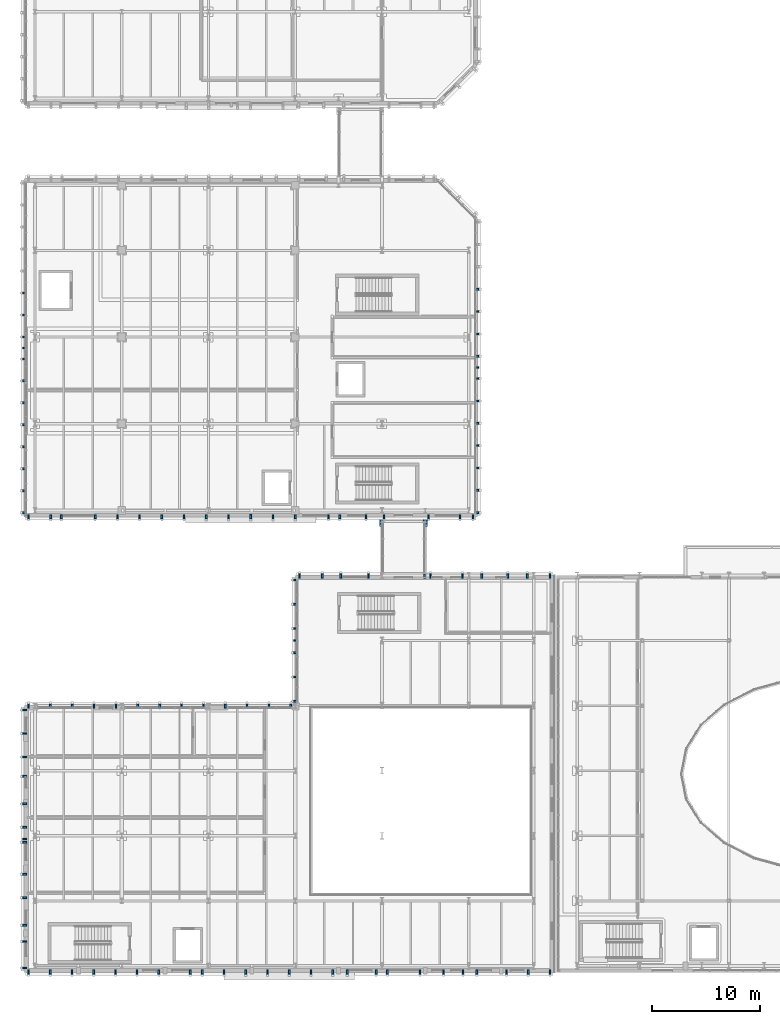
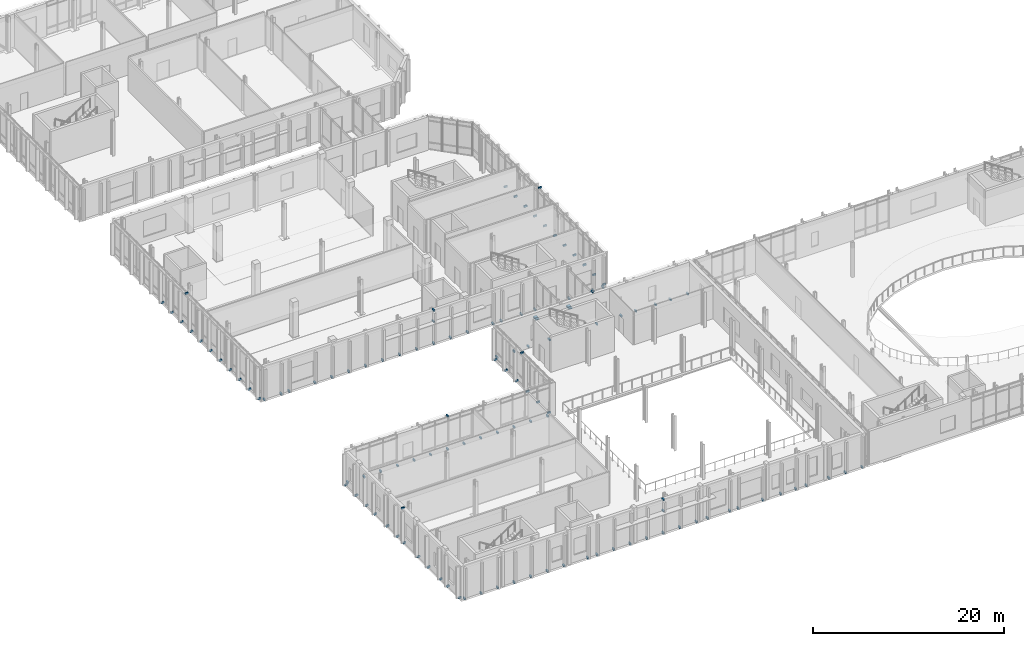
# One storey, part 75 of 100: 122 discrete accessories.
"""IFC4 building model written with IfcOpenShell, lengths in metres."""

from ifc_helpers import new_model, si_unit, direction, frame, origin, origin_2d, place, context, subcontext, project, spatial, rectangle, extrude, material, type_object, element, save


model = new_model("IFC4")

# Units and contexts
model_context = context("Model", 3, precision=1e-05, world=origin(), true_north=direction((0.0, 1.0)))
body_context = subcontext(model_context, "Body", "Model", "MODEL_VIEW")
ifc_project = project(units=[si_unit("LENGTHUNIT", "METRE"), si_unit("AREAUNIT", "SQUARE_METRE"), si_unit("VOLUMEUNIT", "CUBIC_METRE"), si_unit("PLANEANGLEUNIT", "RADIAN"), si_unit("MASSUNIT", "GRAM", prefix="KILO")], contexts=[model_context])

# Site, building, storey
site_placement = place(None, origin())
site = spatial("IfcSite", under=ifc_project, at=site_placement, CompositionType="ELEMENT")
building_placement = place(site_placement, origin())
building = spatial("IfcBuilding", under=site, at=building_placement, Name="Cymarion Research Institute", CompositionType="ELEMENT")
storey_placement = place(building_placement, frame((0.0, 0.0, 4.800048828125)))
storey = spatial("IfcBuildingStorey", under=building, at=storey_placement, Name="L01", CompositionType="ELEMENT", Elevation=4.800048828125)

# Discrete accessories
ifc_material = material(Name="Steel S355", Category="steel")
discrete_accessory_type_1 = type_object("IfcDiscreteAccessoryType", Name="PTFE ELASTOMERIC SLIDING BEARING SB01", PredefinedType="SHOE", material=ifc_material)
for number, where, z_axis, x_axis, name in (
    (1, (38.60009765625, 46.43994140625, -0.590087890625), (0.0, 0.0, 1.0), (1.0, 0.0, 0.0), "L01 SP1 unguided PTFE sliding bearing 1"),
    (2, (42.60009765625, 46.43994140625, -0.590087890625), (0.0, 0.0, 1.0), (1.0, 0.0, 0.0), "L01 SP1 unguided PTFE sliding bearing 2"),
):
    element("IfcDiscreteAccessory", number, at=place(storey_placement, frame(where, z_axis=z_axis, x_axis=x_axis)), inside=storey, type_object=discrete_accessory_type_1, Name=name, PredefinedType="SHOE", context=body_context, shape_type="SweptSolid", body=[
        extrude(rectangle(XDim=0.35009765625, YDim=0.35009765625, at=origin_2d()), origin(), (0.0, 0.0, 1.0), 0.080078125),
    ])
discrete_accessory_type_2 = type_object("IfcDiscreteAccessoryType", Name="STAINLESS STEEL FACADE FIN BRACKET FBK1", PredefinedType="BRACKET", material=ifc_material)
discrete_accessory_1_placement = place(storey_placement, frame((30.050048828125, 4.93994140625, 4.169921875), z_axis=(0.0, 0.0, 1.0), x_axis=(0.0, -1.0, 0.0)))
element("IfcDiscreteAccessory", 3, at=discrete_accessory_1_placement, inside=storey, type_object=discrete_accessory_type_2, Name="L01 V3 spandrel brow anchor bracket #218", PredefinedType="BRACKET", context=body_context, shape_type="SweptSolid", body=[
    extrude(rectangle(XDim=0.3798828125, YDim=0.159912109375, at=origin_2d()), origin(), (0.0, 0.0, 1.0), 0.199951171875),
])
for number, where, z_axis, x_axis, name in (
    (4, (6.0, 4.93994140625, -0.08984375), (0.0, 0.0, 1.0), (0.0, -1.0, 0.0), "L01 V3 vertical rib anchor bracket #219"),
    (5, (8.004150390625, 4.93994140625, -0.08984375), (0.0, 0.0, 1.0), (0.0, -1.0, 0.0), "L01 V3 vertical rib anchor bracket #220"),
    (6, (10.00830078125, 4.93994140625, -0.08984375), (0.0, 0.0, 1.0), (0.0, -1.0, 0.0), "L01 V3 vertical rib anchor bracket #221"),
    (7, (12.012451171875, 4.93994140625, -0.08984375), (0.0, 0.0, 1.0), (0.0, -1.0, 0.0), "L01 V3 vertical rib anchor bracket #222"),
    (8, (14.0166015625, 4.93994140625, -0.08984375), (0.0, 0.0, 1.0), (0.0, -1.0, 0.0), "L01 V3 vertical rib anchor bracket #223"),
    (9, (16.020751953125, 4.93994140625, -0.08984375), (0.0, 0.0, 1.0), (0.0, -1.0, 0.0), "L01 V3 vertical rib anchor bracket #224"),
    (10, (18.02490234375, 4.93994140625, -0.08984375), (0.0, 0.0, 1.0), (0.0, -1.0, 0.0), "L01 V3 vertical rib anchor bracket #225"),
    (11, (20.919921875, 4.93994140625, -0.08984375), (0.0, 0.0, 1.0), (0.0, -1.0, 0.0), "L01 V3 vertical rib anchor bracket #226"),
    (12, (22.033203125, 4.93994140625, -0.08984375), (0.0, 0.0, 1.0), (0.0, -1.0, 0.0), "L01 V3 vertical rib anchor bracket #227"),
    (13, (24.03759765625, 4.93994140625, -0.08984375), (0.0, 0.0, 1.0), (0.0, -1.0, 0.0), "L01 V3 vertical rib anchor bracket #228"),
    (14, (26.041748046875, 4.93994140625, -0.08984375), (0.0, 0.0, 1.0), (0.0, -1.0, 0.0), "L01 V3 vertical rib anchor bracket #229"),
    (15, (28.0458984375, 4.93994140625, -0.08984375), (0.0, 0.0, 1.0), (0.0, -1.0, 0.0), "L01 V3 vertical rib anchor bracket #230"),
    (16, (30.050048828125, 4.93994140625, -0.08984375), (0.0, 0.0, 1.0), (0.0, -1.0, 0.0), "L01 V3 vertical rib anchor bracket #231"),
    (17, (32.05419921875, 4.93994140625, -0.08984375), (0.0, 0.0, 1.0), (0.0, -1.0, 0.0), "L01 V3 vertical rib anchor bracket #232"),
    (18, (34.058349609375, 4.93994140625, -0.08984375), (0.0, 0.0, 1.0), (0.0, -1.0, 0.0), "L01 V3 vertical rib anchor bracket #233"),
    (19, (35.39990234375, 4.93994140625, -0.08984375), (0.0, 0.0, 1.0), (0.0, -1.0, 0.0), "L01 V3 vertical rib anchor bracket #234"),
    (20, (38.066650390625, 4.93994140625, -0.08984375), (0.0, 0.0, 1.0), (0.0, -1.0, 0.0), "L01 V3 vertical rib anchor bracket #235"),
    (21, (39.10009765625, 4.93994140625, -0.08984375), (0.0, 0.0, 1.0), (0.0, -1.0, 0.0), "L01 V3 vertical rib anchor bracket #236"),
    (22, (42.10009765625, 4.93994140625, -0.08984375), (0.0, 0.0, 1.0), (0.0, -1.0, 0.0), "L01 V3 vertical rib anchor bracket #237"),
    (23, (44.27001953125, 4.93994140625, -0.08984375), (0.0, 0.0, 1.0), (0.0, -1.0, 0.0), "L01 V3 vertical rib anchor bracket #238"),
    (24, (46.083251953125, 4.93994140625, -0.08984375), (0.0, 0.0, 1.0), (0.0, -1.0, 0.0), "L01 V3 vertical rib anchor bracket #239"),
    (25, (47.35009765625, 4.93994140625, -0.08984375), (0.0, 0.0, 1.0), (0.0, -1.0, 0.0), "L01 V3 vertical rib anchor bracket #240"),
    (26, (50.091796875, 4.93994140625, -0.08984375), (0.0, 0.0, 1.0), (0.0, -1.0, 0.0), "L01 V3 vertical rib anchor bracket #241"),
    (27, (52.095703125, 4.93994140625, -0.08984375), (0.0, 0.0, 1.0), (0.0, -1.0, 0.0), "L01 V3 vertical rib anchor bracket #242"),
    (28, (54.10009765625, 4.93994140625, -0.08984375), (0.0, 0.0, 1.0), (0.0, -1.0, 0.0), "L01 V3 vertical rib anchor bracket #243"),
):
    element("IfcDiscreteAccessory", number, at=place(storey_placement, frame(where, z_axis=z_axis, x_axis=x_axis)), inside=storey, type_object=discrete_accessory_type_2, Name=name, PredefinedType="BRACKET", context=body_context, shape_type="SweptSolid", body=[
        extrude(rectangle(XDim=0.3798828125, YDim=0.159912109375, at=origin_2d()), origin(), (0.0, 0.0, 1.0), 0.219970703125),
    ])
discrete_accessory_2_placement = place(storey_placement, frame((30.050048828125, 4.949951171875, 2.72998046875), z_axis=(0.0, 0.0, 1.0), x_axis=(0.0, -1.0, 0.0)))
element("IfcDiscreteAccessory", 29, at=discrete_accessory_2_placement, inside=storey, type_object=discrete_accessory_type_2, Name="L01 V3 sunshade anchor bracket #1", PredefinedType="BRACKET", context=body_context, shape_type="SweptSolid", body=[
    extrude(rectangle(XDim=0.3798828125, YDim=0.159912109375, at=origin_2d()), origin(), (0.0, 0.0, 1.0), 0.179931640625),
])
discrete_accessory_3_placement = place(storey_placement, frame((42.550048828125, 41.4599609375, 4.169921875), z_axis=(0.0, 0.0, 1.0), x_axis=(0.0, 1.0, 0.0)))
element("IfcDiscreteAccessory", 30, at=discrete_accessory_3_placement, inside=storey, type_object=discrete_accessory_type_2, Name="L01 V3 spandrel brow anchor bracket #244", PredefinedType="BRACKET", context=body_context, shape_type="SweptSolid", body=[
    extrude(rectangle(XDim=0.3798828125, YDim=0.159912109375, at=origin_2d()), origin(), (0.0, 0.0, 1.0), 0.199951171875),
])
for number, where, z_axis, x_axis, name in (
    (31, (54.10009765625, 41.4599609375, -0.08984375), (0.0, 0.0, 1.0), (0.0, 1.0, 0.0), "L01 V3 vertical rib anchor bracket #245"),
    (32, (52.0, 41.4599609375, -0.08984375), (0.0, 0.0, 1.0), (0.0, 1.0, 0.0), "L01 V3 vertical rib anchor bracket #246"),
    (33, (50.199951171875, 41.4599609375, -0.08984375), (0.0, 0.0, 1.0), (0.0, 1.0, 0.0), "L01 V3 vertical rib anchor bracket #247"),
    (34, (47.800048828125, 41.4599609375, -0.08984375), (0.0, 0.0, 1.0), (0.0, 1.0, 0.0), "L01 V3 vertical rib anchor bracket #248"),
    (35, (46.030029296875, 41.4599609375, -0.08984375), (0.0, 0.0, 1.0), (0.0, 1.0, 0.0), "L01 V3 vertical rib anchor bracket #249"),
    (36, (43.070068359375, 41.4599609375, -0.08984375), (0.0, 0.0, 1.0), (0.0, 1.0, 0.0), "L01 V3 vertical rib anchor bracket #250"),
    (37, (37.35498046875, 41.4599609375, -0.08984375), (0.0, 0.0, 1.0), (0.0, 1.0, 0.0), "L01 V3 vertical rib anchor bracket #251"),
    (38, (34.804931640625, 41.4599609375, -0.08984375), (0.0, 0.0, 1.0), (0.0, 1.0, 0.0), "L01 V3 vertical rib anchor bracket #252"),
    (39, (33.10009765625, 41.4599609375, -0.08984375), (0.0, 0.0, 1.0), (0.0, 1.0, 0.0), "L01 V3 vertical rib anchor bracket #253"),
    (40, (31.0, 41.4599609375, -0.08984375), (0.0, 0.0, 1.0), (0.0, 1.0, 0.0), "L01 V3 vertical rib anchor bracket #254"),
):
    element("IfcDiscreteAccessory", number, at=place(storey_placement, frame(where, z_axis=z_axis, x_axis=x_axis)), inside=storey, type_object=discrete_accessory_type_2, Name=name, PredefinedType="BRACKET", context=body_context, shape_type="SweptSolid", body=[
        extrude(rectangle(XDim=0.3798828125, YDim=0.159912109375, at=origin_2d()), origin(), (0.0, 0.0, 1.0), 0.219970703125),
    ])
discrete_accessory_4_placement = place(storey_placement, frame((30.639892578125, 35.5, 4.169921875), z_axis=(0.0, 0.0, 1.0), x_axis=(-1.0, 0.0, 0.0)))
element("IfcDiscreteAccessory", 41, at=discrete_accessory_4_placement, inside=storey, type_object=discrete_accessory_type_2, Name="L01 V3 spandrel brow anchor bracket #255", PredefinedType="BRACKET", context=body_context, shape_type="SweptSolid", body=[
    extrude(rectangle(XDim=0.3798828125, YDim=0.159912109375, at=origin_2d()), origin(), (0.0, 0.0, 1.0), 0.199951171875),
])
for number, where, z_axis, x_axis, name in (
    (42, (30.639892578125, 41.10009765625, -0.08984375), (0.0, 0.0, 1.0), (-1.0, 0.0, 0.0), "L01 V3 vertical rib anchor bracket #256"),
    (43, (30.639892578125, 38.860107421875, -0.08984375), (0.0, 0.0, 1.0), (-1.0, 0.0, 0.0), "L01 V3 vertical rib anchor bracket #257"),
    (44, (30.639892578125, 36.6201171875, -0.08984375), (0.0, 0.0, 1.0), (-1.0, 0.0, 0.0), "L01 V3 vertical rib anchor bracket #258"),
    (45, (30.639892578125, 34.3798828125, -0.08984375), (0.0, 0.0, 1.0), (-1.0, 0.0, 0.0), "L01 V3 vertical rib anchor bracket #259"),
    (46, (30.639892578125, 32.139892578125, -0.08984375), (0.0, 0.0, 1.0), (-1.0, 0.0, 0.0), "L01 V3 vertical rib anchor bracket #260"),
    (47, (30.639892578125, 29.89990234375, -0.08984375), (0.0, 0.0, 1.0), (-1.0, 0.0, 0.0), "L01 V3 vertical rib anchor bracket #261"),
):
    element("IfcDiscreteAccessory", number, at=place(storey_placement, frame(where, z_axis=z_axis, x_axis=x_axis)), inside=storey, type_object=discrete_accessory_type_2, Name=name, PredefinedType="BRACKET", context=body_context, shape_type="SweptSolid", body=[
        extrude(rectangle(XDim=0.3798828125, YDim=0.159912109375, at=origin_2d()), origin(), (0.0, 0.0, 1.0), 0.219970703125),
    ])
discrete_accessory_5_placement = place(storey_placement, frame((18.10009765625, 29.4599609375, 4.169921875), z_axis=(0.0, 0.0, 1.0), x_axis=(0.0, 1.0, 0.0)))
element("IfcDiscreteAccessory", 48, at=discrete_accessory_5_placement, inside=storey, type_object=discrete_accessory_type_2, Name="L01 V3 spandrel brow anchor bracket #262", PredefinedType="BRACKET", context=body_context, shape_type="SweptSolid", body=[
    extrude(rectangle(XDim=0.3798828125, YDim=0.159912109375, at=origin_2d()), origin(), (0.0, 0.0, 1.0), 0.199951171875),
])
for number, where, z_axis, x_axis, name in (
    (49, (30.199951171875, 29.4599609375, -0.08984375), (0.0, 0.0, 1.0), (0.0, 1.0, 0.0), "L01 V3 vertical rib anchor bracket #263"),
    (50, (28.183349609375, 29.4599609375, -0.08984375), (0.0, 0.0, 1.0), (0.0, 1.0, 0.0), "L01 V3 vertical rib anchor bracket #264"),
    (51, (26.166748046875, 29.4599609375, -0.08984375), (0.0, 0.0, 1.0), (0.0, 1.0, 0.0), "L01 V3 vertical rib anchor bracket #265"),
    (52, (24.14990234375, 29.4599609375, -0.08984375), (0.0, 0.0, 1.0), (0.0, 1.0, 0.0), "L01 V3 vertical rib anchor bracket #266"),
    (53, (22.13330078125, 29.4599609375, -0.08984375), (0.0, 0.0, 1.0), (0.0, 1.0, 0.0), "L01 V3 vertical rib anchor bracket #267"),
    (54, (20.11669921875, 29.4599609375, -0.08984375), (0.0, 0.0, 1.0), (0.0, 1.0, 0.0), "L01 V3 vertical rib anchor bracket #268"),
    (55, (18.10009765625, 29.4599609375, -0.08984375), (0.0, 0.0, 1.0), (0.0, 1.0, 0.0), "L01 V3 vertical rib anchor bracket #269"),
    (56, (16.083251953125, 29.4599609375, -0.08984375), (0.0, 0.0, 1.0), (0.0, 1.0, 0.0), "L01 V3 vertical rib anchor bracket #270"),
    (57, (14.066650390625, 29.4599609375, -0.08984375), (0.0, 0.0, 1.0), (0.0, 1.0, 0.0), "L01 V3 vertical rib anchor bracket #271"),
    (58, (12.050048828125, 29.4599609375, -0.08984375), (0.0, 0.0, 1.0), (0.0, 1.0, 0.0), "L01 V3 vertical rib anchor bracket #272"),
    (59, (10.033203125, 29.4599609375, -0.08984375), (0.0, 0.0, 1.0), (0.0, 1.0, 0.0), "L01 V3 vertical rib anchor bracket #273"),
    (60, (8.0166015625, 29.4599609375, -0.08984375), (0.0, 0.0, 1.0), (0.0, 1.0, 0.0), "L01 V3 vertical rib anchor bracket #274"),
    (61, (6.0, 29.4599609375, -0.08984375), (0.0, 0.0, 1.0), (0.0, 1.0, 0.0), "L01 V3 vertical rib anchor bracket #275"),
):
    element("IfcDiscreteAccessory", number, at=place(storey_placement, frame(where, z_axis=z_axis, x_axis=x_axis)), inside=storey, type_object=discrete_accessory_type_2, Name=name, PredefinedType="BRACKET", context=body_context, shape_type="SweptSolid", body=[
        extrude(rectangle(XDim=0.3798828125, YDim=0.159912109375, at=origin_2d()), origin(), (0.0, 0.0, 1.0), 0.219970703125),
    ])
discrete_accessory_6_placement = place(storey_placement, frame((5.639892578125, 17.199951171875, 4.169921875), z_axis=(0.0, 0.0, 1.0), x_axis=(-1.0, 0.0, 0.0)))
element("IfcDiscreteAccessory", 62, at=discrete_accessory_6_placement, inside=storey, type_object=discrete_accessory_type_2, Name="L01 V3 spandrel brow anchor bracket #276", PredefinedType="BRACKET", context=body_context, shape_type="SweptSolid", body=[
    extrude(rectangle(XDim=0.3798828125, YDim=0.159912109375, at=origin_2d()), origin(), (0.0, 0.0, 1.0), 0.199951171875),
])
for number, where, z_axis, x_axis, name in (
    (63, (5.639892578125, 29.10009765625, -0.08984375), (0.0, 0.0, 1.0), (-1.0, 0.0, 0.0), "L01 V3 vertical rib anchor bracket #277"),
    (64, (5.639892578125, 26.936279296875, -0.08984375), (0.0, 0.0, 1.0), (-1.0, 0.0, 0.0), "L01 V3 vertical rib anchor bracket #278"),
    (65, (5.639892578125, 24.772705078125, -0.08984375), (0.0, 0.0, 1.0), (-1.0, 0.0, 0.0), "L01 V3 vertical rib anchor bracket #279"),
    (66, (5.639892578125, 22.97998046875, -0.08984375), (0.0, 0.0, 1.0), (-1.0, 0.0, 0.0), "L01 V3 vertical rib anchor bracket #280"),
    (67, (5.639892578125, 20.445556640625, -0.08984375), (0.0, 0.0, 1.0), (-1.0, 0.0, 0.0), "L01 V3 vertical rib anchor bracket #281"),
    (68, (5.639892578125, 18.28173828125, -0.08984375), (0.0, 0.0, 1.0), (-1.0, 0.0, 0.0), "L01 V3 vertical rib anchor bracket #282"),
    (69, (5.639892578125, 16.89990234375, -0.08984375), (0.0, 0.0, 1.0), (-1.0, 0.0, 0.0), "L01 V3 vertical rib anchor bracket #283"),
    (70, (5.639892578125, 13.95458984375, -0.08984375), (0.0, 0.0, 1.0), (-1.0, 0.0, 0.0), "L01 V3 vertical rib anchor bracket #284"),
    (71, (5.639892578125, 11.791015625, -0.08984375), (0.0, 0.0, 1.0), (-1.0, 0.0, 0.0), "L01 V3 vertical rib anchor bracket #285"),
    (72, (5.639892578125, 9.25, -0.08984375), (0.0, 0.0, 1.0), (-1.0, 0.0, 0.0), "L01 V3 vertical rib anchor bracket #286"),
    (73, (5.639892578125, 7.760009765625, -0.08984375), (0.0, 0.0, 1.0), (-1.0, 0.0, 0.0), "L01 V3 vertical rib anchor bracket #287"),
    (74, (5.639892578125, 5.300048828125, -0.08984375), (0.0, 0.0, 1.0), (-1.0, 0.0, 0.0), "L01 V3 vertical rib anchor bracket #288"),
):
    element("IfcDiscreteAccessory", number, at=place(storey_placement, frame(where, z_axis=z_axis, x_axis=x_axis)), inside=storey, type_object=discrete_accessory_type_2, Name=name, PredefinedType="BRACKET", context=body_context, shape_type="SweptSolid", body=[
        extrude(rectangle(XDim=0.3798828125, YDim=0.159912109375, at=origin_2d()), origin(), (0.0, 0.0, 1.0), 0.219970703125),
    ])
discrete_accessory_7_placement = place(storey_placement, frame((26.5, 46.93994140625, 4.169921875), z_axis=(0.0, 0.0, 1.0), x_axis=(0.0, -1.0, 0.0)))
element("IfcDiscreteAccessory", 75, at=discrete_accessory_7_placement, inside=storey, type_object=discrete_accessory_type_2, Name="L01 V4 spandrel brow anchor bracket #289", PredefinedType="BRACKET", context=body_context, shape_type="SweptSolid", body=[
    extrude(rectangle(XDim=0.3798828125, YDim=0.159912109375, at=origin_2d()), origin(), (0.0, 0.0, 1.0), 0.199951171875),
])
for number, where, z_axis, x_axis, name in (
    (76, (6.0, 46.93994140625, -0.08984375), (0.0, 0.0, 1.0), (0.0, -1.0, 0.0), "L01 V4 vertical rib anchor bracket #290"),
    (77, (8.050048828125, 46.93994140625, -0.08984375), (0.0, 0.0, 1.0), (0.0, -1.0, 0.0), "L01 V4 vertical rib anchor bracket #291"),
    (78, (9.014892578125, 46.93994140625, -0.08984375), (0.0, 0.0, 1.0), (0.0, -1.0, 0.0), "L01 V4 vertical rib anchor bracket #292"),
    (79, (12.14990234375, 46.93994140625, -0.08984375), (0.0, 0.0, 1.0), (0.0, -1.0, 0.0), "L01 V4 vertical rib anchor bracket #293"),
    (80, (14.199951171875, 46.93994140625, -0.08984375), (0.0, 0.0, 1.0), (0.0, -1.0, 0.0), "L01 V4 vertical rib anchor bracket #294"),
    (81, (16.25, 46.93994140625, -0.08984375), (0.0, 0.0, 1.0), (0.0, -1.0, 0.0), "L01 V4 vertical rib anchor bracket #295"),
    (82, (18.300048828125, 46.93994140625, -0.08984375), (0.0, 0.0, 1.0), (0.0, -1.0, 0.0), "L01 V4 vertical rib anchor bracket #296"),
    (83, (20.35009765625, 46.93994140625, -0.08984375), (0.0, 0.0, 1.0), (0.0, -1.0, 0.0), "L01 V4 vertical rib anchor bracket #297"),
    (84, (22.39990234375, 46.93994140625, -0.08984375), (0.0, 0.0, 1.0), (0.0, -1.0, 0.0), "L01 V4 vertical rib anchor bracket #298"),
    (85, (24.449951171875, 46.93994140625, -0.08984375), (0.0, 0.0, 1.0), (0.0, -1.0, 0.0), "L01 V4 vertical rib anchor bracket #299"),
    (86, (26.5, 46.93994140625, -0.08984375), (0.0, 0.0, 1.0), (0.0, -1.0, 0.0), "L01 V4 vertical rib anchor bracket #300"),
    (87, (28.550048828125, 46.93994140625, -0.08984375), (0.0, 0.0, 1.0), (0.0, -1.0, 0.0), "L01 V4 vertical rib anchor bracket #301"),
    (88, (30.60009765625, 46.93994140625, -0.08984375), (0.0, 0.0, 1.0), (0.0, -1.0, 0.0), "L01 V4 vertical rib anchor bracket #302"),
    (89, (33.679931640625, 46.93994140625, -0.08984375), (0.0, 0.0, 1.0), (0.0, -1.0, 0.0), "L01 V4 vertical rib anchor bracket #303"),
    (90, (34.699951171875, 46.93994140625, -0.08984375), (0.0, 0.0, 1.0), (0.0, -1.0, 0.0), "L01 V4 vertical rib anchor bracket #304"),
    (91, (37.1298828125, 46.93994140625, -0.08984375), (0.0, 0.0, 1.0), (0.0, -1.0, 0.0), "L01 V4 vertical rib anchor bracket #305"),
    (92, (38.800048828125, 46.93994140625, -0.08984375), (0.0, 0.0, 1.0), (0.0, -1.0, 0.0), "L01 V4 vertical rib anchor bracket #306"),
    (93, (42.89990234375, 46.93994140625, -0.08984375), (0.0, 0.0, 1.0), (0.0, -1.0, 0.0), "L01 V4 vertical rib anchor bracket #307"),
    (94, (45.800048828125, 46.93994140625, -0.08984375), (0.0, 0.0, 1.0), (0.0, -1.0, 0.0), "L01 V4 vertical rib anchor bracket #308"),
    (95, (47.0, 46.93994140625, -0.08984375), (0.0, 0.0, 1.0), (0.0, -1.0, 0.0), "L01 V4 vertical rib anchor bracket #309"),
):
    element("IfcDiscreteAccessory", number, at=place(storey_placement, frame(where, z_axis=z_axis, x_axis=x_axis)), inside=storey, type_object=discrete_accessory_type_2, Name=name, PredefinedType="BRACKET", context=body_context, shape_type="SweptSolid", body=[
        extrude(rectangle(XDim=0.3798828125, YDim=0.159912109375, at=origin_2d()), origin(), (0.0, 0.0, 1.0), 0.219970703125),
    ])
discrete_accessory_8_placement = place(storey_placement, frame((26.5, 46.949951171875, 2.72998046875), z_axis=(0.0, 0.0, 1.0), x_axis=(0.0, -1.0, 0.0)))
element("IfcDiscreteAccessory", 96, at=discrete_accessory_8_placement, inside=storey, type_object=discrete_accessory_type_2, Name="L01 V4 sunshade anchor bracket #2", PredefinedType="BRACKET", context=body_context, shape_type="SweptSolid", body=[
    extrude(rectangle(XDim=0.3798828125, YDim=0.159912109375, at=origin_2d()), origin(), (0.0, 0.0, 1.0), 0.179931640625),
])
discrete_accessory_9_placement = place(storey_placement, frame((47.360107421875, 60.699951171875, 4.169921875), z_axis=(0.0, 0.0, 1.0), x_axis=(1.0, 0.0, 0.0)))
element("IfcDiscreteAccessory", 97, at=discrete_accessory_9_placement, inside=storey, type_object=discrete_accessory_type_2, Name="L01 V4 spandrel brow anchor bracket #310", PredefinedType="BRACKET", context=body_context, shape_type="SweptSolid", body=[
    extrude(rectangle(XDim=0.3798828125, YDim=0.159912109375, at=origin_2d()), origin(), (0.0, 0.0, 1.0), 0.199951171875),
])
for number, where, z_axis, x_axis, name in (
    (98, (47.360107421875, 47.300048828125, -0.08984375), (0.0, 0.0, 1.0), (1.0, 0.0, 0.0), "L01 V4 vertical rib anchor bracket #311"),
    (99, (47.360107421875, 49.361572265625, -0.08984375), (0.0, 0.0, 1.0), (1.0, 0.0, 0.0), "L01 V4 vertical rib anchor bracket #312"),
    (100, (47.360107421875, 51.423095703125, -0.08984375), (0.0, 0.0, 1.0), (1.0, 0.0, 0.0), "L01 V4 vertical rib anchor bracket #313"),
    (101, (47.360107421875, 53.484619140625, -0.08984375), (0.0, 0.0, 1.0), (1.0, 0.0, 0.0), "L01 V4 vertical rib anchor bracket #314"),
    (102, (47.360107421875, 55.546142578125, -0.08984375), (0.0, 0.0, 1.0), (1.0, 0.0, 0.0), "L01 V4 vertical rib anchor bracket #315"),
    (103, (47.360107421875, 57.607666015625, -0.08984375), (0.0, 0.0, 1.0), (1.0, 0.0, 0.0), "L01 V4 vertical rib anchor bracket #316"),
    (104, (47.360107421875, 59.669189453125, -0.08984375), (0.0, 0.0, 1.0), (1.0, 0.0, 0.0), "L01 V4 vertical rib anchor bracket #317"),
    (105, (47.360107421875, 61.730712890625, -0.08984375), (0.0, 0.0, 1.0), (1.0, 0.0, 0.0), "L01 V4 vertical rib anchor bracket #318"),
    (106, (47.360107421875, 63.792236328125, -0.08984375), (0.0, 0.0, 1.0), (1.0, 0.0, 0.0), "L01 V4 vertical rib anchor bracket #319"),
    (107, (47.360107421875, 65.853759765625, -0.08984375), (0.0, 0.0, 1.0), (1.0, 0.0, 0.0), "L01 V4 vertical rib anchor bracket #320"),
    (108, (47.360107421875, 67.915283203125, -0.08984375), (0.0, 0.0, 1.0), (1.0, 0.0, 0.0), "L01 V4 vertical rib anchor bracket #321"),
):
    element("IfcDiscreteAccessory", number, at=place(storey_placement, frame(where, z_axis=z_axis, x_axis=x_axis)), inside=storey, type_object=discrete_accessory_type_2, Name=name, PredefinedType="BRACKET", context=body_context, shape_type="SweptSolid", body=[
        extrude(rectangle(XDim=0.3798828125, YDim=0.159912109375, at=origin_2d()), origin(), (0.0, 0.0, 1.0), 0.219970703125),
    ])
discrete_accessory_10_placement = place(storey_placement, frame((5.639892578125, 62.5, 4.169921875), z_axis=(0.0, 0.0, 1.0), x_axis=(-1.0, 0.0, 0.0)))
element("IfcDiscreteAccessory", 109, at=discrete_accessory_10_placement, inside=storey, type_object=discrete_accessory_type_2, Name="L01 V4 spandrel brow anchor bracket #348", PredefinedType="BRACKET", context=body_context, shape_type="SweptSolid", body=[
    extrude(rectangle(XDim=0.3798828125, YDim=0.159912109375, at=origin_2d()), origin(), (0.0, 0.0, 1.0), 0.199951171875),
])
for number, where, z_axis, x_axis, name in (
    (110, (5.639892578125, 67.566650390625, -0.08984375), (0.0, 0.0, 1.0), (-1.0, 0.0, 0.0), "L01 V4 vertical rib anchor bracket #354"),
    (111, (5.639892578125, 65.5400390625, -0.08984375), (0.0, 0.0, 1.0), (-1.0, 0.0, 0.0), "L01 V4 vertical rib anchor bracket #355"),
    (112, (5.639892578125, 63.51318359375, -0.08984375), (0.0, 0.0, 1.0), (-1.0, 0.0, 0.0), "L01 V4 vertical rib anchor bracket #356"),
    (113, (5.639892578125, 61.48681640625, -0.08984375), (0.0, 0.0, 1.0), (-1.0, 0.0, 0.0), "L01 V4 vertical rib anchor bracket #357"),
    (114, (5.639892578125, 59.4599609375, -0.08984375), (0.0, 0.0, 1.0), (-1.0, 0.0, 0.0), "L01 V4 vertical rib anchor bracket #358"),
    (115, (5.639892578125, 57.433349609375, -0.08984375), (0.0, 0.0, 1.0), (-1.0, 0.0, 0.0), "L01 V4 vertical rib anchor bracket #359"),
    (116, (5.639892578125, 55.40673828125, -0.08984375), (0.0, 0.0, 1.0), (-1.0, 0.0, 0.0), "L01 V4 vertical rib anchor bracket #360"),
    (117, (5.639892578125, 53.3798828125, -0.08984375), (0.0, 0.0, 1.0), (-1.0, 0.0, 0.0), "L01 V4 vertical rib anchor bracket #361"),
    (118, (5.639892578125, 51.353271484375, -0.08984375), (0.0, 0.0, 1.0), (-1.0, 0.0, 0.0), "L01 V4 vertical rib anchor bracket #362"),
    (119, (5.639892578125, 49.32666015625, -0.08984375), (0.0, 0.0, 1.0), (-1.0, 0.0, 0.0), "L01 V4 vertical rib anchor bracket #363"),
    (120, (5.639892578125, 47.300048828125, -0.08984375), (0.0, 0.0, 1.0), (-1.0, 0.0, 0.0), "L01 V4 vertical rib anchor bracket #364"),
):
    element("IfcDiscreteAccessory", number, at=place(storey_placement, frame(where, z_axis=z_axis, x_axis=x_axis)), inside=storey, type_object=discrete_accessory_type_2, Name=name, PredefinedType="BRACKET", context=body_context, shape_type="SweptSolid", body=[
        extrude(rectangle(XDim=0.3798828125, YDim=0.159912109375, at=origin_2d()), origin(), (0.0, 0.0, 1.0), 0.219970703125),
    ])
discrete_accessory_type_3 = type_object("IfcDiscreteAccessoryType", Name="STEEL BRIDGE BEARING CORBEL SEAT SBS650 420X650", PredefinedType="BRACKET", material=ifc_material)
for number, where, z_axis, x_axis, name in (
    (121, (38.60009765625, 46.364990234375, -0.72998046875), (0.0, 0.0, 1.0), (1.0, 0.0, 0.0), "L01 SP1 650mm steel bridge bearing seat corbel 1"),
    (122, (42.60009765625, 46.364990234375, -0.72998046875), (0.0, 0.0, 1.0), (1.0, 0.0, 0.0), "L01 SP1 650mm steel bridge bearing seat corbel 2"),
):
    element("IfcDiscreteAccessory", number, at=place(storey_placement, frame(where, z_axis=z_axis, x_axis=x_axis)), inside=storey, type_object=discrete_accessory_type_3, Name=name, PredefinedType="BRACKET", context=body_context, shape_type="SweptSolid", body=[
        extrude(rectangle(XDim=0.419921875, YDim=0.64990234375, at=origin_2d()), origin(), (0.0, 0.0, 1.0), 0.139892578125),
    ])

save(model, "model.ifc")
